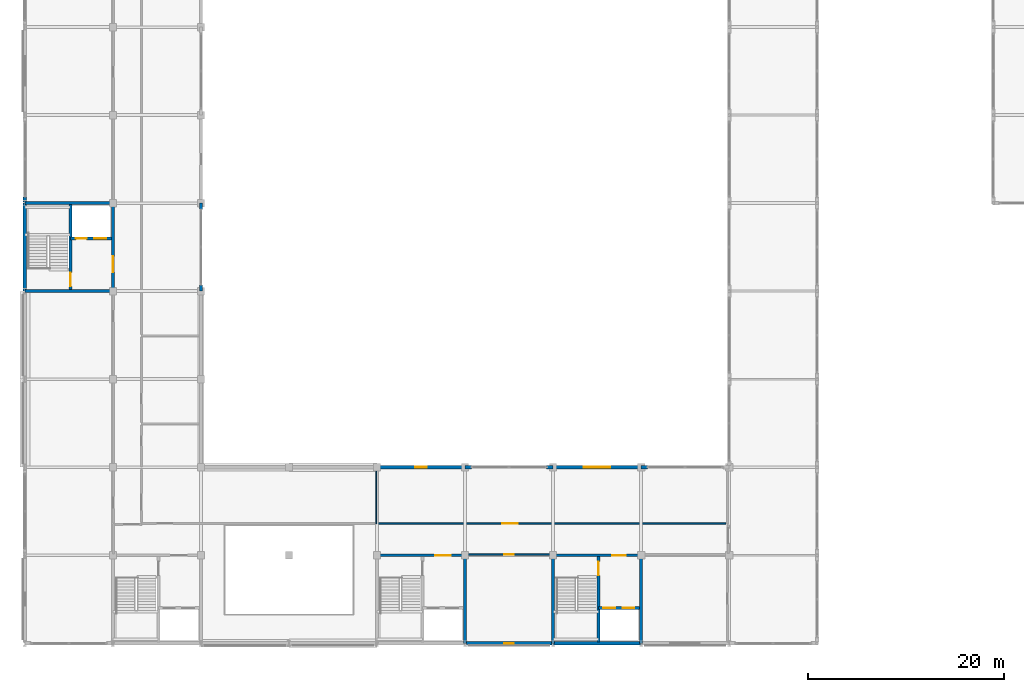
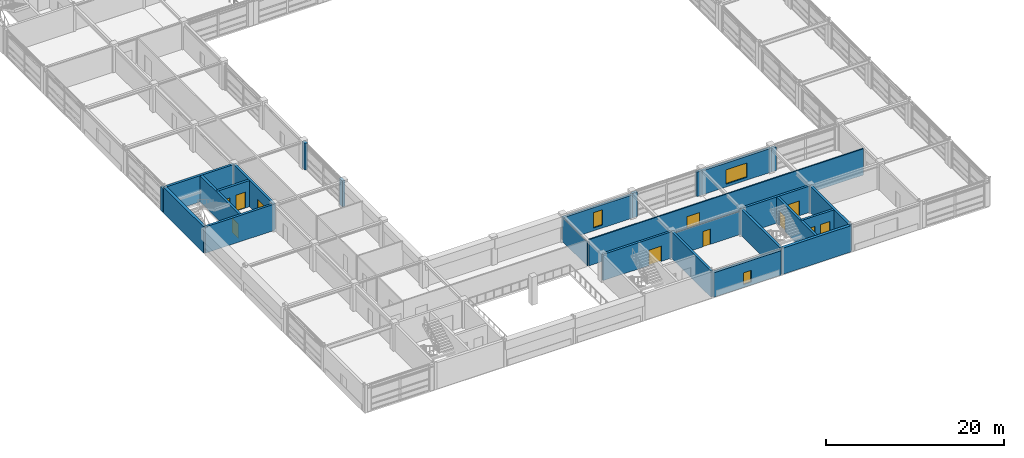
# One storey, part 63 of 79: 26 walls, 11 doors, 3 windows, 14 openings.
"""IFC4 building model written with IfcOpenShell, lengths in metres."""

from ifc_helpers import new_model, si_unit, direction, frame, frame_2d, origin, place, context, subcontext, project, spatial, rectangle, extrude, material, layer, layer_set, type_object, element, fill, save


model = new_model("IFC4")

# Units and contexts
model_context = context("Model", 3, precision=1e-05, world=origin(), true_north=direction((0.0, 1.0)))
body_context = subcontext(model_context, "Body", "Model", "MODEL_VIEW")
ifc_project = project(units=[si_unit("LENGTHUNIT", "METRE"), si_unit("AREAUNIT", "SQUARE_METRE"), si_unit("VOLUMEUNIT", "CUBIC_METRE"), si_unit("PLANEANGLEUNIT", "RADIAN"), si_unit("MASSUNIT", "GRAM", prefix="KILO")], contexts=[model_context])

# Site, building, storey
site_placement = place(None, origin())
site = spatial("IfcSite", under=ifc_project, at=site_placement, CompositionType="ELEMENT")
building_placement = place(site_placement, origin())
building = spatial("IfcBuilding", under=site, at=building_placement, Name="Palais des Congres Ocreval", CompositionType="ELEMENT")
storey_placement = place(building_placement, frame((0.0, 0.0, 4.320068359375)))
storey = spatial("IfcBuildingStorey", under=building, at=storey_placement, Name="L01", CompositionType="ELEMENT", Elevation=4.320068359375)

# Wall
ifc_material_1 = material(Name="Concrete C40/50", Category="concrete")
ifc_layer_1 = layer(ifc_material_1, 0.300048828125)
ifc_layer_set_1 = layer_set([ifc_layer_1], Name="Core Shear Wall 300 Concrete C40/50")
wall_type_1 = type_object("IfcWallType", Name="Core Shear Wall 300 Concrete C40/50", PredefinedType="SHEAR", material=ifc_layer_set_1)
wall_1_placement = place(storey_placement, frame((45.0, 0.0, 0.0), z_axis=(0.0, 0.0, 1.0), x_axis=(0.0, 1.0, 0.0)))
element("IfcWall", 1, at=wall_1_placement, inside=storey, type_object=wall_type_1, Name="Core Shear Wall SC02 L01 E", PredefinedType="SHEAR", context=body_context, shape_type="SweptSolid", body=[
    extrude(rectangle(XDim=9.0, YDim=0.300048828125, at=frame_2d((4.5, 0.0))), origin(), (0.0, 0.0, 1.0), 3.599853515625),
])

# Wall, opening, door
wall_2_placement = place(storey_placement, frame((36.0, 9.0, 0.0), z_axis=(0.0, 0.0, 1.0), x_axis=(1.0, 0.0, 0.0)))
wall_2 = element("IfcWall", 2, at=wall_2_placement, inside=storey, type_object=wall_type_1, Name="Core Shear Wall SC02 L01 N", PredefinedType="SHEAR", context=body_context, shape_type="SweptSolid", body=[
    extrude(rectangle(XDim=9.0, YDim=0.300048828125, at=frame_2d((4.5, 0.0))), origin(), (0.0, 0.0, 1.0), 3.599853515625),
])
opening_1_placement = place(wall_2_placement, frame((5.949951171875, 0.0, 0.0)))
opening_1 = element("IfcOpeningElement", 3, at=opening_1_placement, cuts=wall_2, Name="Opening D02", PredefinedType="OPENING", context=body_context, shape_type="SweptSolid", body=[
    extrude(rectangle(XDim=1.60009765625, YDim=2.10009765625, at=frame_2d((0.800048828125, 1.050048828125))), frame((0.0, 0.159912109375, 0.0), z_axis=(0.0, -1.0, 0.0), x_axis=(1.0, 0.0, 0.0)), (0.0, 0.0, 1.0), 0.320068359375),
])
ifc_material_2 = material(Name="Painted fire-rated steel", Category="steel")
door_type_1 = type_object("IfcDoorType", Name="Firefighting Lobby Rated Door 1600x2100", OperationType="NOTDEFINED", PredefinedType="DOOR", material=ifc_material_2)
door_1_placement = place(opening_1_placement, origin())
door_1 = element("IfcDoor", 4, at=door_1_placement, inside=storey, type_object=door_type_1, Name="Firefighting Lobby Entrance Door SC02 L01", OperationType="DOUBLE_DOOR_SINGLE_SWING", OverallHeight=2.10009765625, OverallWidth=1.60009765625, PredefinedType="DOOR", context=body_context, shape_type="SweptSolid", body=[
    extrude(rectangle(XDim=1.60009765625, YDim=2.10009765625, at=frame_2d((0.800048828125, 1.050048828125))), frame((0.0, 0.02490234375, 0.0), z_axis=(0.0, -1.0, 0.0), x_axis=(1.0, 0.0, 0.0)), (0.0, 0.0, 1.0), 0.050048828125),
])
fill(opening_1, door_1)

# Wall
wall_3_placement = place(storey_placement, frame((0.0, 36.0, 0.0), z_axis=(0.0, 0.0, 1.0), x_axis=(1.0, 0.0, 0.0)))
element("IfcWall", 5, at=wall_3_placement, inside=storey, type_object=wall_type_1, Name="Core Shear Wall SC03 L01 S", PredefinedType="SHEAR", context=body_context, shape_type="SweptSolid", body=[
    extrude(rectangle(XDim=9.0, YDim=0.300048828125, at=frame_2d((4.5, 0.0))), origin(), (0.0, 0.0, 1.0), 3.599853515625),
])

# Wall, opening, door
wall_4_placement = place(storey_placement, frame((9.0, 36.0, 0.0), z_axis=(0.0, 0.0, 1.0), x_axis=(0.0, 1.0, 0.0)))
wall_4 = element("IfcWall", 6, at=wall_4_placement, inside=storey, type_object=wall_type_1, Name="Core Shear Wall SC03 L01 E", PredefinedType="SHEAR", context=body_context, shape_type="SweptSolid", body=[
    extrude(rectangle(XDim=9.0, YDim=0.300048828125, at=frame_2d((4.5, 0.0))), origin(), (0.0, 0.0, 1.0), 3.599853515625),
])
opening_2_placement = place(wall_4_placement, frame((1.949951171875, 0.0, 0.0)))
opening_2 = element("IfcOpeningElement", 7, at=opening_2_placement, cuts=wall_4, Name="Opening D02", PredefinedType="OPENING", context=body_context, shape_type="SweptSolid", body=[
    extrude(rectangle(XDim=1.60009765625, YDim=2.10009765625, at=frame_2d((0.800048828125, 1.050048828125))), frame((0.0, 0.159912109375, 0.0), z_axis=(0.0, -1.0, 0.0), x_axis=(1.0, 0.0, 0.0)), (0.0, 0.0, 1.0), 0.320068359375),
])
door_2_placement = place(opening_2_placement, origin())
door_2 = element("IfcDoor", 8, at=door_2_placement, inside=storey, type_object=door_type_1, Name="Firefighting Lobby Entrance Door SC03 L01", OperationType="DOUBLE_DOOR_SINGLE_SWING", OverallHeight=2.10009765625, OverallWidth=1.60009765625, PredefinedType="DOOR", context=body_context, shape_type="SweptSolid", body=[
    extrude(rectangle(XDim=1.60009765625, YDim=2.10009765625, at=frame_2d((0.800048828125, 1.050048828125))), frame((0.0, 0.02490234375, 0.0), z_axis=(0.0, -1.0, 0.0), x_axis=(1.0, 0.0, 0.0)), (0.0, 0.0, 1.0), 0.050048828125),
])
fill(opening_2, door_2)

# Wall
wall_5_placement = place(storey_placement, frame((0.0, 45.0, 0.0), z_axis=(0.0, 0.0, 1.0), x_axis=(1.0, 0.0, 0.0)))
element("IfcWall", 9, at=wall_5_placement, inside=storey, type_object=wall_type_1, Name="Core Shear Wall SC03 L01 N", PredefinedType="SHEAR", context=body_context, shape_type="SweptSolid", body=[
    extrude(rectangle(XDim=9.0, YDim=0.300048828125, at=frame_2d((4.5, 0.0))), origin(), (0.0, 0.0, 1.0), 3.599853515625),
])

# Wall, opening, door
wall_6_placement = place(storey_placement, frame((4.64990234375, 36.14990234375, 0.0), z_axis=(0.0, 0.0, 1.0), x_axis=(0.0, 1.0, 0.0)))
wall_6 = element("IfcWall", 10, at=wall_6_placement, inside=storey, type_object=wall_type_1, Name="Core Spine Shear Wall SC03 L01", PredefinedType="SHEAR", context=body_context, shape_type="SweptSolid", body=[
    extrude(rectangle(XDim=8.7001953125, YDim=0.300048828125, at=frame_2d((4.35009765625, 0.0))), origin(), (0.0, 0.0, 1.0), 3.599853515625),
])
opening_3_placement = place(wall_6_placement, frame((0.35009765625, 0.0, 0.0)))
opening_3 = element("IfcOpeningElement", 11, at=opening_3_placement, cuts=wall_6, Name="Opening D03", PredefinedType="OPENING", context=body_context, shape_type="SweptSolid", body=[
    extrude(rectangle(XDim=1.39990234375, YDim=2.02001953125, at=frame_2d((0.699951171875, 1.010009765625))), frame((0.0, 0.159912109375, 0.0), z_axis=(0.0, -1.0, 0.0), x_axis=(1.0, 0.0, 0.0)), (0.0, 0.0, 1.0), 0.320068359375),
])
door_type_2 = type_object("IfcDoorType", Name="Core Lobby Rated Door 1400x2020", OperationType="NOTDEFINED", PredefinedType="DOOR", material=ifc_material_2)
door_3_placement = place(opening_3_placement, origin())
door_3 = element("IfcDoor", 12, at=door_3_placement, inside=storey, type_object=door_type_2, Name="Protected Exit Stair Door ST03 L01", OperationType="SINGLE_SWING_LEFT", OverallHeight=2.02001953125, OverallWidth=1.39990234375, PredefinedType="DOOR", context=body_context, shape_type="SweptSolid", body=[
    extrude(rectangle(XDim=1.39990234375, YDim=2.02001953125, at=frame_2d((0.699951171875, 1.010009765625))), frame((0.0, 0.02490234375, 0.0), z_axis=(0.0, -1.0, 0.0), x_axis=(1.0, 0.0, 0.0)), (0.0, 0.0, 1.0), 0.050048828125),
])
fill(opening_3, door_3)

# Wall, openings, doors
wall_7_placement = place(storey_placement, frame((4.64990234375, 41.39990234375, 0.0), z_axis=(0.0, 0.0, 1.0), x_axis=(1.0, 0.0, 0.0)))
wall_7 = element("IfcWall", 13, at=wall_7_placement, inside=storey, type_object=wall_type_1, Name="Lift Shaft Front Wall SC03 L01", PredefinedType="SHEAR", context=body_context, shape_type="SweptSolid", body=[
    extrude(rectangle(XDim=4.2001953125, YDim=0.300048828125, at=frame_2d((2.10009765625, 0.0))), origin(), (0.0, 0.0, 1.0), 3.599853515625),
])
opening_4_placement = place(wall_7_placement, frame((0.550048828125, 0.0, 0.0)))
opening_4 = element("IfcOpeningElement", 14, at=opening_4_placement, cuts=wall_7, Name="Opening LD01", PredefinedType="OPENING", context=body_context, shape_type="SweptSolid", body=[
    extrude(rectangle(XDim=1.10009765625, YDim=2.10009765625, at=frame_2d((0.550048828125, 1.050048828125))), frame((0.0, 0.159912109375, 0.0), z_axis=(0.0, -1.0, 0.0), x_axis=(1.0, 0.0, 0.0)), (0.0, 0.0, 1.0), 0.320068359375),
])
opening_5_placement = place(wall_7_placement, frame((2.449951171875, 0.0, 0.0)))
opening_5 = element("IfcOpeningElement", 15, at=opening_5_placement, cuts=wall_7, Name="Opening LD02", PredefinedType="OPENING", context=body_context, shape_type="SweptSolid", body=[
    extrude(rectangle(XDim=1.199951171875, YDim=2.199951171875, at=frame_2d((0.60009765625, 1.10009765625))), frame((0.0, 0.159912109375, 0.0), z_axis=(0.0, -1.0, 0.0), x_axis=(1.0, 0.0, 0.0)), (0.0, 0.0, 1.0), 0.320068359375),
])
ifc_material_3 = material(Name="Stainless steel", Category="steel")
door_type_3 = type_object("IfcDoorType", Name="Firefighting Lift Sliding Landing Door 1100x2100", OperationType="NOTDEFINED", PredefinedType="DOOR", material=ifc_material_3)
door_4_placement = place(opening_4_placement, origin())
door_4 = element("IfcDoor", 16, at=door_4_placement, inside=storey, type_object=door_type_3, Name="Lift Landing Sliding Door FF3 L01", OperationType="DOUBLE_DOOR_SLIDING", OverallHeight=2.10009765625, OverallWidth=1.10009765625, PredefinedType="DOOR", context=body_context, shape_type="SweptSolid", body=[
    extrude(rectangle(XDim=1.10009765625, YDim=2.10009765625, at=frame_2d((0.550048828125, 1.050048828125))), frame((0.0, 0.02490234375, 0.0), z_axis=(0.0, -1.0, 0.0), x_axis=(1.0, 0.0, 0.0)), (0.0, 0.0, 1.0), 0.050048828125),
])
fill(opening_4, door_4)
ifc_material_4 = material(Name="Anodized bronze steel", Category="steel")
door_type_4 = type_object("IfcDoorType", Name="Passenger and Service Lift Sliding Door 1200x2200", OperationType="NOTDEFINED", PredefinedType="DOOR", material=ifc_material_4)
door_5_placement = place(opening_5_placement, origin())
door_5 = element("IfcDoor", 17, at=door_5_placement, inside=storey, type_object=door_type_4, Name="Lift Landing Sliding Door PL3 L01", OperationType="DOUBLE_DOOR_SLIDING", OverallHeight=2.199951171875, OverallWidth=1.199951171875, PredefinedType="DOOR", context=body_context, shape_type="SweptSolid", body=[
    extrude(rectangle(XDim=1.199951171875, YDim=2.199951171875, at=frame_2d((0.60009765625, 1.10009765625))), frame((0.0, 0.02490234375, 0.0), z_axis=(0.0, -1.0, 0.0), x_axis=(1.0, 0.0, 0.0)), (0.0, 0.0, 1.0), 0.050048828125),
])
fill(opening_5, door_5)

# Wall
wall_8_placement = place(storey_placement, frame((63.0, 0.0, 0.0), z_axis=(0.0, 0.0, 1.0), x_axis=(0.0, 1.0, 0.0)))
element("IfcWall", 18, at=wall_8_placement, inside=storey, type_object=wall_type_1, Name="Core Shear Wall SC04 L01 E", PredefinedType="SHEAR", context=body_context, shape_type="SweptSolid", body=[
    extrude(rectangle(XDim=9.0, YDim=0.300048828125, at=frame_2d((4.5, 0.0))), origin(), (0.0, 0.0, 1.0), 3.599853515625),
])

# Wall, opening, door
wall_9_placement = place(storey_placement, frame((54.0, 9.0, 0.0), z_axis=(0.0, 0.0, 1.0), x_axis=(1.0, 0.0, 0.0)))
wall_9 = element("IfcWall", 19, at=wall_9_placement, inside=storey, type_object=wall_type_1, Name="Core Shear Wall SC04 L01 N", PredefinedType="SHEAR", context=body_context, shape_type="SweptSolid", body=[
    extrude(rectangle(XDim=9.0, YDim=0.300048828125, at=frame_2d((4.5, 0.0))), origin(), (0.0, 0.0, 1.0), 3.599853515625),
])
opening_6_placement = place(wall_9_placement, frame((6.050048828125, 0.0, 0.0)))
opening_6 = element("IfcOpeningElement", 20, at=opening_6_placement, cuts=wall_9, Name="Opening D03", PredefinedType="OPENING", context=body_context, shape_type="SweptSolid", body=[
    extrude(rectangle(XDim=1.39990234375, YDim=2.02001953125, at=frame_2d((0.699951171875, 1.010009765625))), frame((0.0, 0.159912109375, 0.0), z_axis=(0.0, -1.0, 0.0), x_axis=(1.0, 0.0, 0.0)), (0.0, 0.0, 1.0), 0.320068359375),
])
door_6_placement = place(opening_6_placement, origin())
door_6 = element("IfcDoor", 21, at=door_6_placement, inside=storey, type_object=door_type_2, Name="Lobby Entrance Door SC04 L01", OperationType="DOUBLE_DOOR_SINGLE_SWING", OverallHeight=2.02001953125, OverallWidth=1.39990234375, PredefinedType="DOOR", context=body_context, shape_type="SweptSolid", body=[
    extrude(rectangle(XDim=1.39990234375, YDim=2.02001953125, at=frame_2d((0.699951171875, 1.010009765625))), frame((0.0, 0.02490234375, 0.0), z_axis=(0.0, -1.0, 0.0), x_axis=(1.0, 0.0, 0.0)), (0.0, 0.0, 1.0), 0.050048828125),
])
fill(opening_6, door_6)

# Wall
wall_10_placement = place(storey_placement, frame((54.0, 0.0, 0.0), z_axis=(0.0, 0.0, 1.0), x_axis=(0.0, 1.0, 0.0)))
element("IfcWall", 22, at=wall_10_placement, inside=storey, type_object=wall_type_1, Name="Core Shear Wall SC04 L01 W", PredefinedType="SHEAR", context=body_context, shape_type="SweptSolid", body=[
    extrude(rectangle(XDim=9.0, YDim=0.300048828125, at=frame_2d((4.5, 0.0))), origin(), (0.0, 0.0, 1.0), 3.599853515625),
])

# Wall, opening, door
wall_11_placement = place(storey_placement, frame((58.64990234375, 0.14990234375, 0.0), z_axis=(0.0, 0.0, 1.0), x_axis=(0.0, 1.0, 0.0)))
wall_11 = element("IfcWall", 23, at=wall_11_placement, inside=storey, type_object=wall_type_1, Name="Core Spine Shear Wall SC04 L01", PredefinedType="SHEAR", context=body_context, shape_type="SweptSolid", body=[
    extrude(rectangle(XDim=8.7001953125, YDim=0.300048828125, at=frame_2d((4.35009765625, 0.0))), origin(), (0.0, 0.0, 1.0), 3.599853515625),
])
opening_7_placement = place(wall_11_placement, frame((6.800048828125, 0.0, 0.0)))
opening_7 = element("IfcOpeningElement", 24, at=opening_7_placement, cuts=wall_11, Name="Opening D03", PredefinedType="OPENING", context=body_context, shape_type="SweptSolid", body=[
    extrude(rectangle(XDim=1.39990234375, YDim=2.02001953125, at=frame_2d((0.699951171875, 1.010009765625))), frame((0.0, 0.159912109375, 0.0), z_axis=(0.0, -1.0, 0.0), x_axis=(1.0, 0.0, 0.0)), (0.0, 0.0, 1.0), 0.320068359375),
])
door_7_placement = place(opening_7_placement, origin())
door_7 = element("IfcDoor", 25, at=door_7_placement, inside=storey, type_object=door_type_2, Name="Protected Exit Stair Door ST04 L01", OperationType="SINGLE_SWING_RIGHT", OverallHeight=2.02001953125, OverallWidth=1.39990234375, PredefinedType="DOOR", context=body_context, shape_type="SweptSolid", body=[
    extrude(rectangle(XDim=1.39990234375, YDim=2.02001953125, at=frame_2d((0.699951171875, 1.010009765625))), frame((0.0, 0.02490234375, 0.0), z_axis=(0.0, -1.0, 0.0), x_axis=(1.0, 0.0, 0.0)), (0.0, 0.0, 1.0), 0.050048828125),
])
fill(opening_7, door_7)

# Wall, openings, doors
wall_12_placement = place(storey_placement, frame((58.64990234375, 3.60009765625, 0.0), z_axis=(0.0, 0.0, 1.0), x_axis=(1.0, 0.0, 0.0)))
wall_12 = element("IfcWall", 26, at=wall_12_placement, inside=storey, type_object=wall_type_1, Name="Lift Shaft Front Wall SC04 L01", PredefinedType="SHEAR", context=body_context, shape_type="SweptSolid", body=[
    extrude(rectangle(XDim=4.2001953125, YDim=0.300048828125, at=frame_2d((2.10009765625, 0.0))), origin(), (0.0, 0.0, 1.0), 3.599853515625),
])
opening_8_placement = place(wall_12_placement, frame((0.5, 0.0, 0.0)))
opening_8 = element("IfcOpeningElement", 27, at=opening_8_placement, cuts=wall_12, Name="Opening LD02", PredefinedType="OPENING", context=body_context, shape_type="SweptSolid", body=[
    extrude(rectangle(XDim=1.199951171875, YDim=2.199951171875, at=frame_2d((0.60009765625, 1.10009765625))), frame((0.0, 0.159912109375, 0.0), z_axis=(0.0, -1.0, 0.0), x_axis=(1.0, 0.0, 0.0)), (0.0, 0.0, 1.0), 0.320068359375),
])
opening_9_placement = place(wall_12_placement, frame((2.449951171875, 0.0, 0.0)))
opening_9 = element("IfcOpeningElement", 28, at=opening_9_placement, cuts=wall_12, Name="Opening LD02", PredefinedType="OPENING", context=body_context, shape_type="SweptSolid", body=[
    extrude(rectangle(XDim=1.199951171875, YDim=2.199951171875, at=frame_2d((0.60009765625, 1.10009765625))), frame((0.0, 0.159912109375, 0.0), z_axis=(0.0, -1.0, 0.0), x_axis=(1.0, 0.0, 0.0)), (0.0, 0.0, 1.0), 0.320068359375),
])
door_8_placement = place(opening_8_placement, origin())
door_8 = element("IfcDoor", 29, at=door_8_placement, inside=storey, type_object=door_type_4, Name="Lift Landing Sliding Door PL4 L01", OperationType="DOUBLE_DOOR_SLIDING", OverallHeight=2.199951171875, OverallWidth=1.199951171875, PredefinedType="DOOR", context=body_context, shape_type="SweptSolid", body=[
    extrude(rectangle(XDim=1.199951171875, YDim=2.199951171875, at=frame_2d((0.60009765625, 1.10009765625))), frame((0.0, 0.02490234375, 0.0), z_axis=(0.0, -1.0, 0.0), x_axis=(1.0, 0.0, 0.0)), (0.0, 0.0, 1.0), 0.050048828125),
])
fill(opening_8, door_8)
door_9_placement = place(opening_9_placement, origin())
door_9 = element("IfcDoor", 30, at=door_9_placement, inside=storey, type_object=door_type_4, Name="Lift Landing Sliding Door BL1 L01", OperationType="DOUBLE_DOOR_SLIDING", OverallHeight=2.199951171875, OverallWidth=1.199951171875, PredefinedType="DOOR", context=body_context, shape_type="SweptSolid", body=[
    extrude(rectangle(XDim=1.199951171875, YDim=2.199951171875, at=frame_2d((0.60009765625, 1.10009765625))), frame((0.0, 0.02490234375, 0.0), z_axis=(0.0, -1.0, 0.0), x_axis=(1.0, 0.0, 0.0)), (0.0, 0.0, 1.0), 0.050048828125),
])
fill(opening_9, door_9)

# Wall, opening, door
ifc_material_5 = material(Name="Gypsum acoustic partition")
ifc_layer_2 = layer(ifc_material_5, 0.159912109375)
ifc_layer_set_2 = layer_set([ifc_layer_2], Name="Corridor Fire Partition 160 Gypsum (Gypsum acoustic partition)")
wall_type_2 = type_object("IfcWallType", Name="Corridor Fire Partition 160 Gypsum", PredefinedType="PARTITIONING", material=ifc_layer_set_2)
wall_13_placement = place(storey_placement, frame((36.090087890625, 12.235107421875, 0.0), z_axis=(0.0, 0.0, 1.0), x_axis=(1.0, 0.0, 0.0)))
wall_13 = element("IfcWall", 31, at=wall_13_placement, inside=storey, type_object=wall_type_2, Name="Interior Partition IW03 L01", PredefinedType="PARTITIONING", context=body_context, shape_type="SweptSolid", body=[
    extrude(rectangle(XDim=35.579833984375, YDim=0.159912109375, at=frame_2d((17.7900390625, 0.0))), origin(), (0.0, 0.0, 1.0), 3.599853515625),
])
opening_10_placement = place(wall_13_placement, frame((12.720458984375, 0.0, 0.0)))
opening_10 = element("IfcOpeningElement", 32, at=opening_10_placement, cuts=wall_13, Name="Opening D12", PredefinedType="OPENING", context=body_context, shape_type="SweptSolid", body=[
    extrude(rectangle(XDim=1.60009765625, YDim=2.300048828125, at=frame_2d((0.800048828125, 1.14990234375))), frame((0.0, 0.08984375, 0.0), z_axis=(0.0, -1.0, 0.0), x_axis=(1.0, 0.0, 0.0)), (0.0, 0.0, 1.0), 0.179931640625),
])
ifc_material_6 = material(Name="Solid French oak", Category="wood")
door_type_5 = type_object("IfcDoorType", Name="Meeting Room Acoustic Double Door 1600x2300", OperationType="NOTDEFINED", PredefinedType="DOOR", material=ifc_material_6)
door_10_placement = place(opening_10_placement, origin())
door_10 = element("IfcDoor", 33, at=door_10_placement, inside=storey, type_object=door_type_5, Name="Interior Door D12 L01", OperationType="DOUBLE_DOOR_SINGLE_SWING", OverallHeight=2.300048828125, OverallWidth=1.60009765625, PredefinedType="DOOR", context=body_context, shape_type="SweptSolid", body=[
    extrude(rectangle(XDim=1.60009765625, YDim=2.300048828125, at=frame_2d((0.800048828125, 1.14990234375))), frame((0.0, 0.02490234375, 0.0), z_axis=(0.0, -1.0, 0.0), x_axis=(1.0, 0.0, 0.0)), (0.0, 0.0, 1.0), 0.050048828125),
])
fill(opening_10, door_10)

wall_14_placement = place(storey_placement, frame((45.155029296875, 9.06494140625, 0.0), z_axis=(0.0, 0.0, 1.0), x_axis=(1.0, 0.0, 0.0)))
wall_14 = element("IfcWall", 34, at=wall_14_placement, inside=storey, type_object=wall_type_2, Name="Interior Partition IW03 L01", PredefinedType="PARTITIONING", context=body_context, shape_type="SweptSolid", body=[
    extrude(rectangle(XDim=8.68994140625, YDim=0.159912109375, at=frame_2d((4.344970703125, 0.0))), origin(), (0.0, 0.0, 1.0), 3.18994140625),
])
opening_11_placement = place(wall_14_placement, frame((3.844970703125, 0.0, 0.0)))
opening_11 = element("IfcOpeningElement", 35, at=opening_11_placement, cuts=wall_14, Name="Opening D10", PredefinedType="OPENING", context=body_context, shape_type="SweptSolid", body=[
    extrude(rectangle(XDim=1.0, YDim=2.10009765625, at=frame_2d((0.5, 1.050048828125))), frame((0.0, 0.08984375, 0.0), z_axis=(0.0, -1.0, 0.0), x_axis=(1.0, 0.0, 0.0)), (0.0, 0.0, 1.0), 0.179931640625),
])
ifc_material_7 = material(Name="Painted steel", Category="steel")
door_type_6 = type_object("IfcDoorType", Name="Service and Pantry Door 1000x2100", OperationType="NOTDEFINED", PredefinedType="DOOR", material=ifc_material_7)
door_11_placement = place(opening_11_placement, origin())
door_11 = element("IfcDoor", 36, at=door_11_placement, inside=storey, type_object=door_type_6, Name="Interior Door D10 L01", OperationType="SINGLE_SWING_RIGHT", OverallHeight=2.10009765625, OverallWidth=1.0, PredefinedType="DOOR", context=body_context, shape_type="SweptSolid", body=[
    extrude(rectangle(XDim=1.0, YDim=2.10009765625, at=frame_2d((0.5, 1.050048828125))), frame((0.0, 0.02490234375, 0.0), z_axis=(0.0, -1.0, 0.0), x_axis=(1.0, 0.0, 0.0)), (0.0, 0.0, 1.0), 0.050048828125),
])
fill(opening_11, door_11)

# Wall
ifc_layer_3 = layer(ifc_material_1, 0.3798828125)
ifc_layer_set_3 = layer_set([ifc_layer_3], Name="Lutetian Limestone Street Wall 380 Concrete C40/50")
wall_type_3 = type_object("IfcWallType", Name="Lutetian Limestone Street Wall 380 Concrete C40/50", PredefinedType="SOLIDWALL", material=ifc_layer_set_3)
wall_15_placement = place(storey_placement, frame((63.0, 0.0, 0.0), z_axis=(0.0, 0.0, 1.0), x_axis=(-1.0, 0.0, 0.0)))
element("IfcWall", 37, at=wall_15_placement, inside=storey, type_object=wall_type_3, Name="Core Perimeter Shear Wall EW03 SC04 L01", PredefinedType="SOLIDWALL", context=body_context, shape_type="SweptSolid", body=[
    extrude(rectangle(XDim=9.0, YDim=0.3798828125, at=frame_2d((4.5, 0.0))), origin(), (0.0, 0.0, 1.0), 3.599853515625),
])

# Wall, opening, window
wall_16_placement = place(storey_placement, frame((53.8701171875, 0.0, 0.0), z_axis=(0.0, 0.0, 1.0), x_axis=(-1.0, 0.0, 0.0)))
wall_16 = element("IfcWall", 38, at=wall_16_placement, inside=storey, type_object=wall_type_3, Name="Exterior Wall EW03 L01", PredefinedType="SOLIDWALL", context=body_context, shape_type="SweptSolid", body=[
    extrude(rectangle(XDim=8.740234375, YDim=0.3798828125, at=frame_2d((4.3701171875, 0.0))), origin(), (0.0, 0.0, 1.0), 3.349853515625),
])
opening_12_placement = place(wall_16_placement, frame((3.8701171875, 0.0, 0.39990234375)))
opening_12 = element("IfcOpeningElement", 39, at=opening_12_placement, cuts=wall_16, Name="Opening WN18", PredefinedType="OPENING", context=body_context, shape_type="SweptSolid", body=[
    extrude(rectangle(XDim=1.0, YDim=1.60009765625, at=frame_2d((0.5, 0.800048828125))), frame((0.0, 0.199951171875, 0.0), z_axis=(0.0, -1.0, 0.0), x_axis=(1.0, 0.0, 0.0)), (0.0, 0.0, 1.0), 0.39990234375),
])
ifc_material_8 = material(Name="Anodized bronze aluminium and low-E glass", Category="glass")
window_type_1 = type_object("IfcWindowType", Name="Stair and Lobby Daylight Window 1000x1600", PartitioningType="SINGLE_PANEL", PredefinedType="WINDOW", material=ifc_material_8)
window_1_placement = place(opening_12_placement, origin())
window_1 = element("IfcWindow", 40, at=window_1_placement, inside=storey, type_object=window_type_1, Name="Facade Window WN18", OverallHeight=1.60009765625, OverallWidth=1.0, PartitioningType="SINGLE_PANEL", PredefinedType="WINDOW", context=body_context, shape_type="SweptSolid", body=[
    extrude(rectangle(XDim=1.0, YDim=1.60009765625, at=frame_2d((0.5, 0.800048828125))), frame((0.0, 0.030029296875, 0.0), z_axis=(0.0, -1.0, 0.0), x_axis=(1.0, 0.0, 0.0)), (0.0, 0.0, 1.0), 0.06005859375),
])
fill(opening_12, window_1)

# Walls
wall_17_placement = place(storey_placement, frame((0.0, 36.0, 0.0), z_axis=(0.0, 0.0, 1.0), x_axis=(0.0, 1.0, 0.0)))
element("IfcWall", 41, at=wall_17_placement, inside=storey, type_object=wall_type_3, Name="Core Perimeter Shear Wall EW03 SC03 L01", PredefinedType="SOLIDWALL", context=body_context, shape_type="SweptSolid", body=[
    extrude(rectangle(XDim=9.0, YDim=0.3798828125, at=frame_2d((4.5, 0.0))), origin(), (0.0, 0.0, 1.0), 3.599853515625),
])
ifc_layer_4 = layer(ifc_material_1, 0.340087890625)
ifc_layer_set_4 = layer_set([ifc_layer_4], Name="Ochre Mineral-Lime Courtyard Wall 340 Concrete C40/50")
wall_type_4 = type_object("IfcWallType", Name="Ochre Mineral-Lime Courtyard Wall 340 Concrete C40/50", PredefinedType="SOLIDWALL", material=ifc_layer_set_4)
wall_18_placement = place(storey_placement, frame((0.0, 45.1298828125, 0.0), z_axis=(0.0, 0.0, 1.0), x_axis=(0.0, 1.0, 0.0)))
element("IfcWall", 42, at=wall_18_placement, inside=storey, type_object=wall_type_4, Name="Facade Pier EW04 L01", PredefinedType="SOLIDWALL", context=body_context, shape_type="SweptSolid", body=[
    extrude(rectangle(XDim=0.52001953125, YDim=0.340087890625, at=frame_2d((0.260009765625, 0.0))), origin(), (0.0, 0.0, 1.0), 3.280029296875),
])
for number, where, z_axis, x_axis, name in (
    (43, (18.0, 45.0, 0.0), (0.0, 0.0, 1.0), (0.0, -1.0, 0.0), "Facade Pier EW04 L01"),
    (44, (18.0, 36.64990234375, 0.0), (0.0, 0.0, 1.0), (0.0, -1.0, 0.0), "Facade Pier EW04 L01"),
):
    element("IfcWall", number, at=place(storey_placement, frame(where, z_axis=z_axis, x_axis=x_axis)), inside=storey, type_object=wall_type_4, Name=name, PredefinedType="SOLIDWALL", context=body_context, shape_type="SweptSolid", body=[
        extrude(rectangle(XDim=0.64990234375, YDim=0.340087890625, at=frame_2d((0.324951171875, 0.0))), origin(), (0.0, 0.0, 1.0), 3.599853515625),
    ])

# Wall, opening, window
wall_19_placement = place(storey_placement, frame((36.0, 18.0, 0.0), z_axis=(0.0, 0.0, 1.0), x_axis=(1.0, 0.0, 0.0)))
wall_19 = element("IfcWall", 45, at=wall_19_placement, inside=storey, type_object=wall_type_4, Name="Exterior Wall EW04 L01", PredefinedType="SOLIDWALL", context=body_context, shape_type="SweptSolid", body=[
    extrude(rectangle(XDim=9.0, YDim=0.340087890625, at=frame_2d((4.5, 0.0))), origin(), (0.0, 0.0, 1.0), 3.179931640625),
])
opening_13_placement = place(wall_19_placement, frame((3.89990234375, 0.0, 0.39990234375)))
opening_13 = element("IfcOpeningElement", 46, at=opening_13_placement, cuts=wall_19, Name="Opening WN17", PredefinedType="OPENING", context=body_context, shape_type="SweptSolid", body=[
    extrude(rectangle(XDim=1.199951171875, YDim=2.10009765625, at=frame_2d((0.60009765625, 1.050048828125))), frame((0.0, 0.179931640625, 0.0), z_axis=(0.0, -1.0, 0.0), x_axis=(1.0, 0.0, 0.0)), (0.0, 0.0, 1.0), 0.360107421875),
])
window_type_2 = type_object("IfcWindowType", Name="Spa Garden Window 1200x2100", PartitioningType="SINGLE_PANEL", PredefinedType="WINDOW", material=ifc_material_8)
window_2_placement = place(opening_13_placement, origin())
window_2 = element("IfcWindow", 47, at=window_2_placement, inside=storey, type_object=window_type_2, Name="Facade Window WN17", OverallHeight=2.10009765625, OverallWidth=1.199951171875, PartitioningType="SINGLE_PANEL", PredefinedType="WINDOW", context=body_context, shape_type="SweptSolid", body=[
    extrude(rectangle(XDim=1.199951171875, YDim=2.10009765625, at=frame_2d((0.60009765625, 1.050048828125))), frame((0.0, 0.030029296875, 0.0), z_axis=(0.0, -1.0, 0.0), x_axis=(1.0, 0.0, 0.0)), (0.0, 0.0, 1.0), 0.06005859375),
])
fill(opening_13, window_2)

# Walls
for number, where, z_axis, x_axis, name in (
    (48, (45.0, 18.0, 0.0), (0.0, 0.0, 1.0), (1.0, 0.0, 0.0), "Facade Pier EW04 L01"),
    (49, (53.35009765625, 18.0, 0.0), (0.0, 0.0, 1.0), (1.0, 0.0, 0.0), "Facade Pier EW04 L01"),
):
    element("IfcWall", number, at=place(storey_placement, frame(where, z_axis=z_axis, x_axis=x_axis)), inside=storey, type_object=wall_type_4, Name=name, PredefinedType="SOLIDWALL", context=body_context, shape_type="SweptSolid", body=[
        extrude(rectangle(XDim=0.64990234375, YDim=0.340087890625, at=frame_2d((0.324951171875, 0.0))), origin(), (0.0, 0.0, 1.0), 3.349853515625),
    ])

# Wall, opening, window
wall_20_placement = place(storey_placement, frame((54.0, 18.0, 0.0), z_axis=(0.0, 0.0, 1.0), x_axis=(1.0, 0.0, 0.0)))
wall_20 = element("IfcWall", 50, at=wall_20_placement, inside=storey, type_object=wall_type_4, Name="Exterior Wall EW04 L01", PredefinedType="SOLIDWALL", context=body_context, shape_type="SweptSolid", body=[
    extrude(rectangle(XDim=9.0, YDim=0.340087890625, at=frame_2d((4.5, 0.0))), origin(), (0.0, 0.0, 1.0), 3.280029296875),
])
opening_14_placement = place(wall_20_placement, frame((3.14990234375, 0.0, 0.39990234375)))
opening_14 = element("IfcOpeningElement", 51, at=opening_14_placement, cuts=wall_20, Name="Opening WN04", PredefinedType="OPENING", context=body_context, shape_type="SweptSolid", body=[
    extrude(rectangle(XDim=2.699951171875, YDim=1.949951171875, at=frame_2d((1.35009765625, 0.97509765625))), frame((0.0, 0.179931640625, 0.0), z_axis=(0.0, -1.0, 0.0), x_axis=(1.0, 0.0, 0.0)), (0.0, 0.0, 1.0), 0.360107421875),
])
window_type_3 = type_object("IfcWindowType", Name="Suite Corner Window 2700x1950", PartitioningType="SINGLE_PANEL", PredefinedType="WINDOW", material=ifc_material_8)
window_3_placement = place(opening_14_placement, origin())
window_3 = element("IfcWindow", 52, at=window_3_placement, inside=storey, type_object=window_type_3, Name="Facade Window WN04", OverallHeight=1.949951171875, OverallWidth=2.699951171875, PartitioningType="SINGLE_PANEL", PredefinedType="WINDOW", context=body_context, shape_type="SweptSolid", body=[
    extrude(rectangle(XDim=2.699951171875, YDim=1.949951171875, at=frame_2d((1.35009765625, 0.97509765625))), frame((0.0, 0.030029296875, 0.0), z_axis=(0.0, -1.0, 0.0), x_axis=(1.0, 0.0, 0.0)), (0.0, 0.0, 1.0), 0.06005859375),
])
fill(opening_14, window_3)

# Walls
wall_21_placement = place(storey_placement, frame((63.0, 18.0, 0.0), z_axis=(0.0, 0.0, 1.0), x_axis=(1.0, 0.0, 0.0)))
element("IfcWall", 53, at=wall_21_placement, inside=storey, type_object=wall_type_4, Name="Facade Pier EW04 L01", PredefinedType="SOLIDWALL", context=body_context, shape_type="SweptSolid", body=[
    extrude(rectangle(XDim=0.64990234375, YDim=0.340087890625, at=frame_2d((0.324951171875, 0.0))), origin(), (0.0, 0.0, 1.0), 3.219970703125),
])
ifc_material_9 = material(Name="Gypsum board partition")
ifc_layer_5 = layer(ifc_material_9, 0.1201171875)
ifc_layer_set_5 = layer_set([ifc_layer_5], Name="Suite Subdivision Partition 120 Gypsum (Gypsum board partition)")
wall_type_5 = type_object("IfcWallType", Name="Suite Subdivision Partition 120 Gypsum", PredefinedType="PARTITIONING", material=ifc_layer_set_5)
wall_22_placement = place(storey_placement, frame((35.93505859375, 12.239990234375, 0.0), z_axis=(0.0, 0.0, 1.0), x_axis=(0.0, 1.0, 0.0)))
element("IfcWall", 54, at=wall_22_placement, inside=storey, type_object=wall_type_5, Name="Interior Partition IW04 L01", PredefinedType="PARTITIONING", context=body_context, shape_type="SweptSolid", body=[
    extrude(rectangle(XDim=5.5849609375, YDim=0.1201171875, at=frame_2d((2.79248046875, 0.0))), origin(), (0.0, 0.0, 1.0), 3.25),
])

save(model, "model.ifc")
